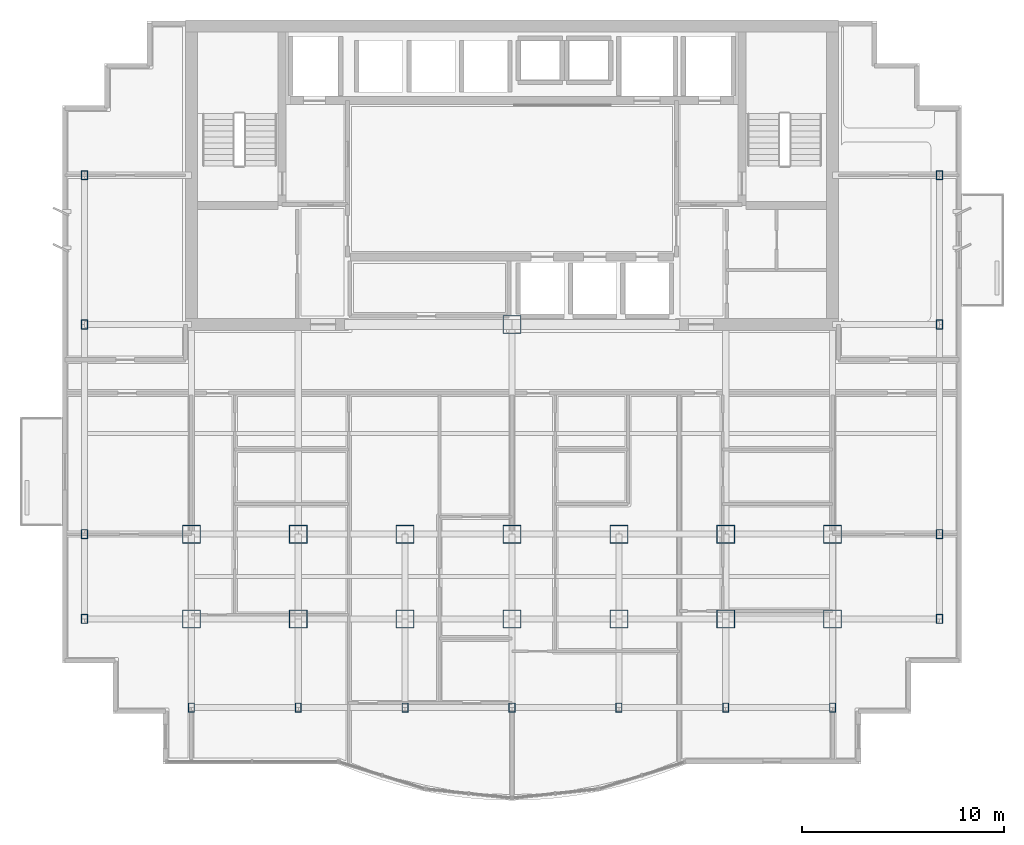
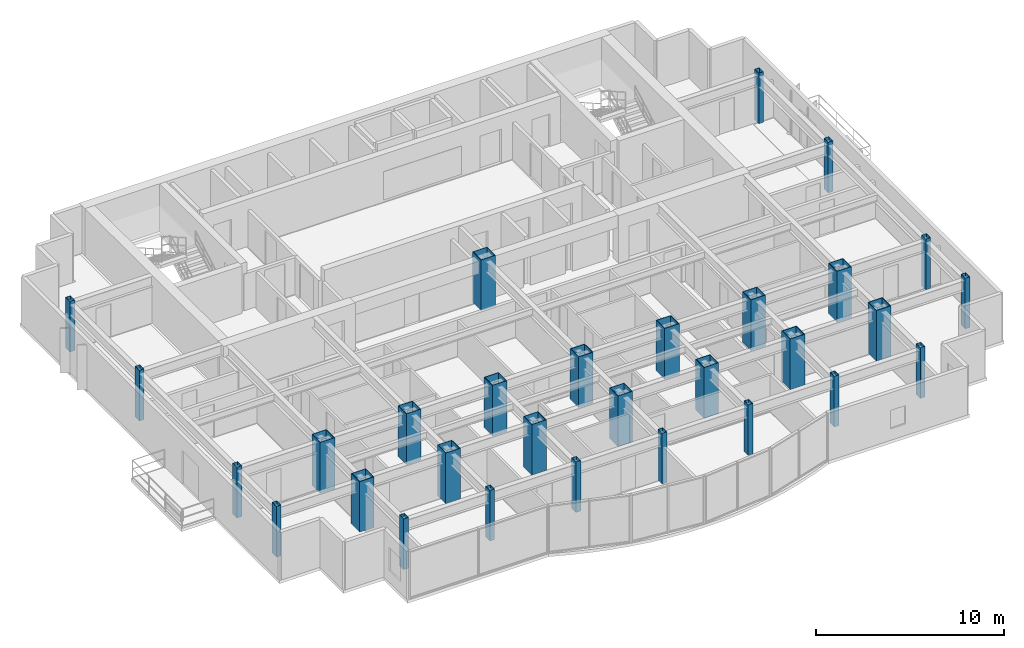
# One storey, part 1 of 11: 30 columns.
"""IFC4 building model written with IfcOpenShell, lengths in metres."""

from ifc_helpers import new_model, si_unit, direction, frame, origin, origin_2d, place, context, subcontext, project, spatial, hollow_rectangle, extrude, material, material_profile, profile_set, type_object, element, save


model = new_model("IFC4")

# Units and contexts
model_context = context("Model", 3, precision=1e-05, world=origin(), true_north=direction((0.0, 1.0)))
body_context = subcontext(model_context, "Body", "Model", "MODEL_VIEW")
ifc_project = project(units=[si_unit("LENGTHUNIT", "METRE"), si_unit("AREAUNIT", "SQUARE_METRE"), si_unit("VOLUMEUNIT", "CUBIC_METRE"), si_unit("PLANEANGLEUNIT", "RADIAN"), si_unit("MASSUNIT", "GRAM", prefix="KILO")], contexts=[model_context])

# Site, building, storey
site_placement = place(None, origin())
site = spatial("IfcSite", under=ifc_project, at=site_placement, CompositionType="ELEMENT")
building_placement = place(site_placement, origin())
building = spatial("IfcBuilding", under=site, at=building_placement, Name="Qianlan Lanfeng Residences", CompositionType="ELEMENT")
storey_placement = place(building_placement, frame((0.0, 0.0, 155.699951171875)))
storey = spatial("IfcBuildingStorey", under=building, at=storey_placement, Name="L42", CompositionType="ELEMENT", Elevation=155.699951171875)

# Columns
ifc_material = material(Name="Steel SN490B", Category="steel")
ifc_material_profile_1 = material_profile(ifc_material, hollow_rectangle(XDim=0.89990234375, YDim=0.89990234375, WallThickness=0.031982421875, at=origin_2d()), Name="BOX 900x900x32")
ifc_profile_set_1 = profile_set([ifc_material_profile_1], Name="Steel SN490B")
column_type_1 = type_object("IfcColumnType", Name="C-B1000", PredefinedType="COLUMN", material=ifc_profile_set_1)
for number, where, z_axis, x_axis, name in (
    (1, (26.5, 25.199951171875, 0.0), (0.0, 0.0, 1.0), (1.0, 0.0, 0.0), "L42 Structural Column CP_26.5_25.2"),
    (2, (10.60009765625, 14.800048828125, 0.0), (0.0, 0.0, 1.0), (1.0, 0.0, 0.0), "L42 Structural Column M_10.60_14.80"),
    (3, (10.60009765625, 10.60009765625, 0.0), (0.0, 0.0, 1.0), (1.0, 0.0, 0.0), "L42 Structural Column G_10.60_10.60"),
    (4, (15.89990234375, 14.800048828125, 0.0), (0.0, 0.0, 1.0), (1.0, 0.0, 0.0), "L42 Structural Column M_15.90_14.80"),
    (5, (15.89990234375, 10.60009765625, 0.0), (0.0, 0.0, 1.0), (1.0, 0.0, 0.0), "L42 Structural Column G_15.90_10.60"),
    (6, (21.199951171875, 14.800048828125, 0.0), (0.0, 0.0, 1.0), (1.0, 0.0, 0.0), "L42 Structural Column M_21.20_14.80"),
    (7, (21.199951171875, 10.60009765625, 0.0), (0.0, 0.0, 1.0), (1.0, 0.0, 0.0), "L42 Structural Column G_21.20_10.60"),
    (8, (26.5, 14.800048828125, 0.0), (0.0, 0.0, 1.0), (1.0, 0.0, 0.0), "L42 Structural Column M_26.50_14.80"),
    (9, (26.5, 10.60009765625, 0.0), (0.0, 0.0, 1.0), (1.0, 0.0, 0.0), "L42 Structural Column G_26.50_10.60"),
    (10, (31.800048828125, 14.800048828125, 0.0), (0.0, 0.0, 1.0), (1.0, 0.0, 0.0), "L42 Structural Column M_31.80_14.80"),
    (11, (31.800048828125, 10.60009765625, 0.0), (0.0, 0.0, 1.0), (1.0, 0.0, 0.0), "L42 Structural Column G_31.80_10.60"),
    (12, (37.10009765625, 14.800048828125, 0.0), (0.0, 0.0, 1.0), (1.0, 0.0, 0.0), "L42 Structural Column M_37.10_14.80"),
    (13, (37.10009765625, 10.60009765625, 0.0), (0.0, 0.0, 1.0), (1.0, 0.0, 0.0), "L42 Structural Column G_37.10_10.60"),
    (14, (42.39990234375, 14.800048828125, 0.0), (0.0, 0.0, 1.0), (1.0, 0.0, 0.0), "L42 Structural Column M_42.40_14.80"),
    (15, (42.39990234375, 10.60009765625, 0.0), (0.0, 0.0, 1.0), (1.0, 0.0, 0.0), "L42 Structural Column G_42.40_10.60"),
):
    element("IfcColumn", number, at=place(storey_placement, frame(where, z_axis=z_axis, x_axis=x_axis)), inside=storey, type_object=column_type_1, Name=name, PredefinedType="COLUMN", context=body_context, shape_type="SweptSolid", body=[
        extrude(hollow_rectangle(XDim=0.89990234375, YDim=0.89990234375, WallThickness=0.031982421875, at=origin_2d()), origin(), (0.0, 0.0, 1.0), 3.300048828125),
    ])
ifc_material_profile_2 = material_profile(ifc_material, hollow_rectangle(XDim=0.300048828125, YDim=0.449951171875, WallThickness=0.01611328125, at=origin_2d()), Name="RHS 450x300x16")
ifc_profile_set_2 = profile_set([ifc_material_profile_2], Name="Steel SN490B")
column_type_2 = type_object("IfcColumnType", Name="CE-B950", PredefinedType="COLUMN", material=ifc_profile_set_2)
for number, where, z_axis, x_axis, name in (
    (16, (10.60009765625, 6.199951171875, 0.0), (0.0, 0.0, 1.0), (1.0, 0.0, 0.0), "L42 Structural Column S_10.60_6.20"),
    (17, (15.89990234375, 6.199951171875, 0.0), (0.0, 0.0, 1.0), (1.0, 0.0, 0.0), "L42 Structural Column S_15.90_6.20"),
    (18, (21.199951171875, 6.199951171875, 0.0), (0.0, 0.0, 1.0), (1.0, 0.0, 0.0), "L42 Structural Column S_21.20_6.20"),
    (19, (26.5, 6.199951171875, 0.0), (0.0, 0.0, 1.0), (1.0, 0.0, 0.0), "L42 Structural Column S_26.50_6.20"),
    (20, (31.800048828125, 6.199951171875, 0.0), (0.0, 0.0, 1.0), (1.0, 0.0, 0.0), "L42 Structural Column S_31.80_6.20"),
    (21, (37.10009765625, 6.199951171875, 0.0), (0.0, 0.0, 1.0), (1.0, 0.0, 0.0), "L42 Structural Column S_37.10_6.20"),
    (22, (42.39990234375, 6.199951171875, 0.0), (0.0, 0.0, 1.0), (1.0, 0.0, 0.0), "L42 Structural Column S_42.40_6.20"),
    (23, (5.300048828125, 10.60009765625, 0.0), (0.0, 0.0, 1.0), (1.0, 0.0, 0.0), "L42 Structural Column W_5.30_10.60"),
    (24, (5.300048828125, 14.800048828125, 0.0), (0.0, 0.0, 1.0), (1.0, 0.0, 0.0), "L42 Structural Column W_5.30_14.80"),
    (25, (5.300048828125, 25.199951171875, 0.0), (0.0, 0.0, 1.0), (1.0, 0.0, 0.0), "L42 Structural Column W_5.30_25.20"),
    (26, (5.300048828125, 32.60009765625, 0.0), (0.0, 0.0, 1.0), (1.0, 0.0, 0.0), "L42 Structural Column W_5.30_32.60"),
    (27, (47.699951171875, 10.60009765625, 0.0), (0.0, 0.0, 1.0), (1.0, 0.0, 0.0), "L42 Structural Column W_47.70_10.60"),
    (28, (47.699951171875, 14.800048828125, 0.0), (0.0, 0.0, 1.0), (1.0, 0.0, 0.0), "L42 Structural Column W_47.70_14.80"),
    (29, (47.699951171875, 25.199951171875, 0.0), (0.0, 0.0, 1.0), (1.0, 0.0, 0.0), "L42 Structural Column W_47.70_25.20"),
    (30, (47.699951171875, 32.60009765625, 0.0), (0.0, 0.0, 1.0), (1.0, 0.0, 0.0), "L42 Structural Column W_47.70_32.60"),
):
    element("IfcColumn", number, at=place(storey_placement, frame(where, z_axis=z_axis, x_axis=x_axis)), inside=storey, type_object=column_type_2, Name=name, PredefinedType="COLUMN", context=body_context, shape_type="SweptSolid", body=[
        extrude(hollow_rectangle(XDim=0.300048828125, YDim=0.449951171875, WallThickness=0.01611328125, at=origin_2d()), origin(), (0.0, 0.0, 1.0), 3.300048828125),
    ])

save(model, "model.ifc")
